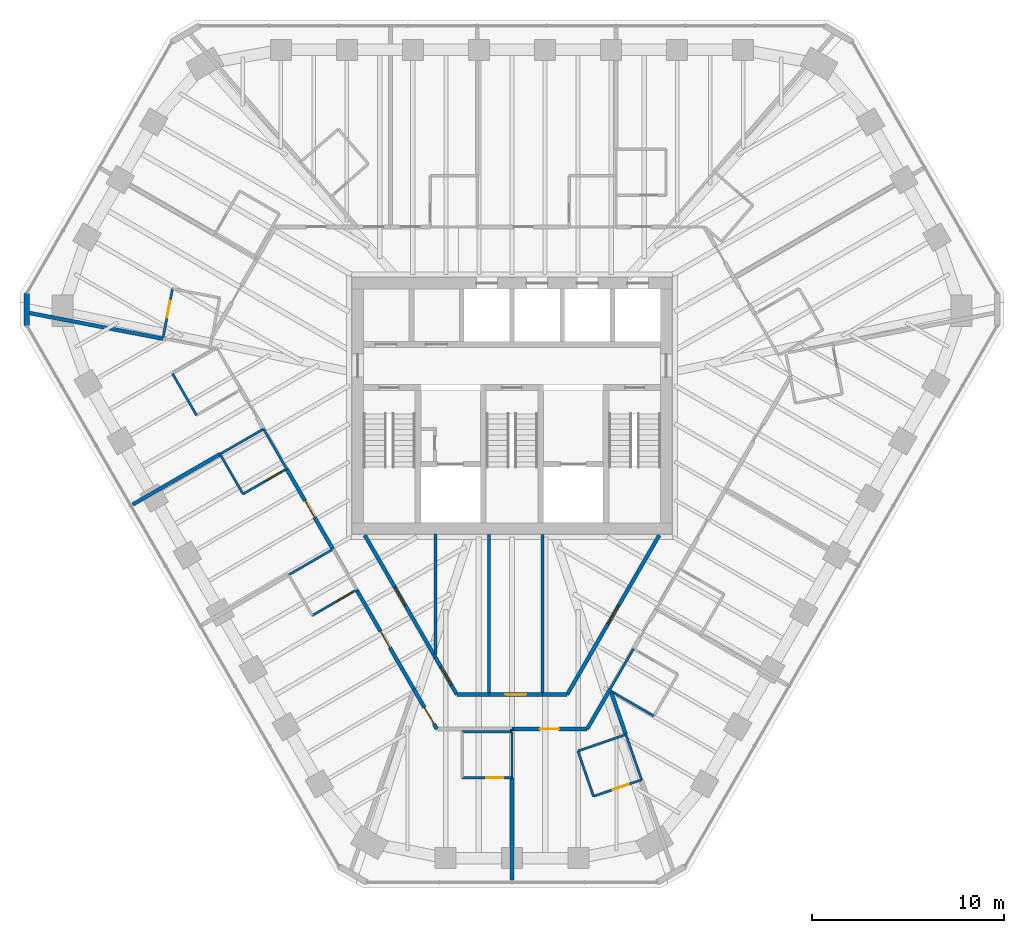
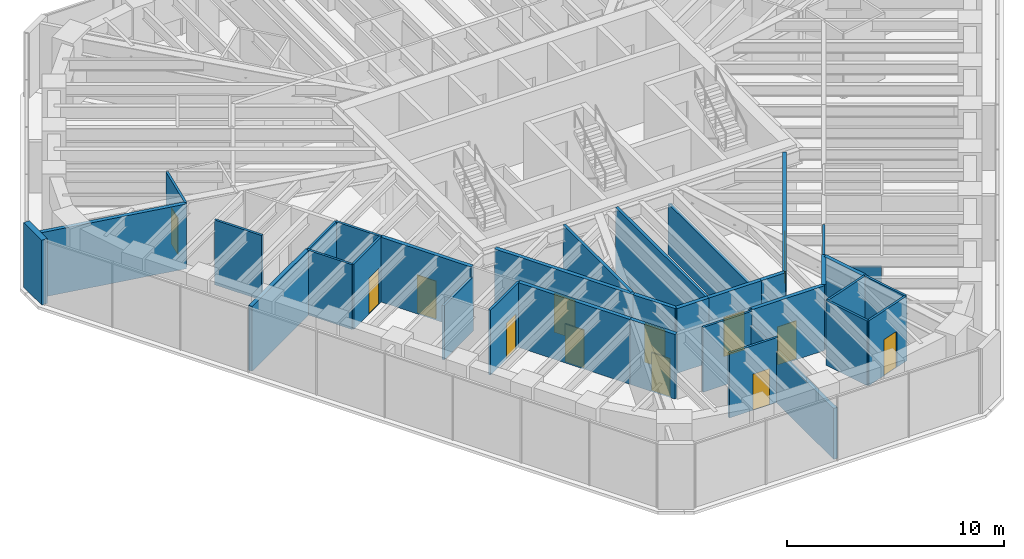
# One storey, part 9 of 14: 37 walls, 13 doors, 13 openings.
"""IFC4 building model written with IfcOpenShell, lengths in metres."""

from ifc_helpers import new_model, si_unit, direction, frame, frame_2d, origin, place, context, subcontext, project, spatial, rectangle, extrude, material, layer, layer_set, type_object, element, fill, save


model = new_model("IFC4")

# Units and contexts
model_context = context("Model", 3, precision=1e-05, world=origin(), true_north=direction((0.0, 1.0)))
body_context = subcontext(model_context, "Body", "Model", "MODEL_VIEW")
ifc_project = project(units=[si_unit("LENGTHUNIT", "METRE"), si_unit("AREAUNIT", "SQUARE_METRE"), si_unit("VOLUMEUNIT", "CUBIC_METRE"), si_unit("PLANEANGLEUNIT", "RADIAN"), si_unit("MASSUNIT", "GRAM", prefix="KILO")], contexts=[model_context])

# Site, building, storey
site_placement = place(None, origin())
site = spatial("IfcSite", under=ifc_project, at=site_placement, CompositionType="ELEMENT")
building_placement = place(site_placement, origin())
building = spatial("IfcBuilding", under=site, at=building_placement, Name="Sandreach Pilgrim Tower", CompositionType="ELEMENT")
storey_placement = place(building_placement, frame((0.0, 0.0, 279.800048828125)))
storey = spatial("IfcBuildingStorey", under=building, at=storey_placement, Name="L70", CompositionType="ELEMENT", Elevation=279.800048828125)

# Walls
ifc_material_1 = material(Name="Gypsum board on steel studs", Category="steel")
ifc_layer_1 = layer(ifc_material_1, 0.14990234375)
ifc_layer_set_1 = layer_set([ifc_layer_1], Name="Back of house wall 150")
wall_type_1 = type_object("IfcWallType", Name="Back of house wall 150", PredefinedType="PARTITIONING", material=ifc_layer_set_1)
wall_1_placement = place(storey_placement, frame((-4.0, -6.699951171875, 0.0), z_axis=(0.0, 0.0, 1.0), x_axis=(0.0, -1.0, 0.0)))
element("IfcWall", 1, at=wall_1_placement, inside=storey, type_object=wall_type_1, Name="Back of house wall L70-049", PredefinedType="PARTITIONING", context=body_context, shape_type="SweptSolid", body=[
    extrude(rectangle(XDim=6.26513671875, YDim=0.14990234375, at=frame_2d((3.132568359375, 0.0))), origin(), (0.0, 0.0, 1.0), 3.639892578125),
])
wall_2_placement = place(storey_placement, frame((-1.199951171875, -6.699951171875, 0.0), z_axis=(0.0, 0.0, 1.0), x_axis=(0.0, -1.0, 0.0)))
element("IfcWall", 2, at=wall_2_placement, inside=storey, type_object=wall_type_1, Name="Back of house wall L70-058", PredefinedType="PARTITIONING", context=body_context, shape_type="SweptSolid", body=[
    extrude(rectangle(XDim=8.360107421875, YDim=0.14990234375, at=frame_2d((4.18017578125, 0.0))), origin(), (0.0, 0.0, 1.0), 3.639892578125),
])
wall_3_placement = place(storey_placement, frame((1.60009765625, -6.699951171875, 0.0), z_axis=(0.0, 0.0, 1.0), x_axis=(0.0, -1.0, 0.0)))
element("IfcWall", 3, at=wall_3_placement, inside=storey, type_object=wall_type_1, Name="Back of house wall L70-065", PredefinedType="PARTITIONING", context=body_context, shape_type="SweptSolid", body=[
    extrude(rectangle(XDim=8.360107421875, YDim=0.14990234375, at=frame_2d((4.18017578125, 0.0))), origin(), (0.0, 0.0, 1.0), 2.860107421875),
])
ifc_material_2 = material(Name="Moisture-resistant gypsum board on steel studs", Category="steel")
ifc_layer_2 = layer(ifc_material_2, 0.1201171875)
ifc_layer_set_2 = layer_set([ifc_layer_2], Name="Bathroom partition 120")
wall_type_2 = type_object("IfcWallType", Name="Bathroom partition 120", PredefinedType="PARTITIONING", material=ifc_layer_set_2)
wall_4_placement = place(storey_placement, frame((-17.7099609375, 1.679931640625, 0.0), z_axis=(0.0, 0.0, 1.0), x_axis=(0.499159685399, -0.866510016372, 0.0)))
element("IfcWall", 4, at=wall_4_placement, inside=storey, type_object=wall_type_2, Name="Bathroom partition L70-005", PredefinedType="PARTITIONING", context=body_context, shape_type="SweptSolid", body=[
    extrude(rectangle(XDim=2.504150390625, YDim=0.1201171875, at=frame_2d((1.251953125, 0.0))), origin(), (0.0, 0.0, 1.0), 3.639892578125),
])

# Wall, opening, door
wall_5_placement = place(storey_placement, frame((-17.7099609375, 6.110107421875, 0.0), z_axis=(0.0, 0.0, 1.0), x_axis=(-0.188840553732, -0.982007762325, 0.0)))
wall_5 = element("IfcWall", 5, at=wall_5_placement, inside=storey, type_object=wall_type_2, Name="Bathroom partition L70-006", PredefinedType="PARTITIONING", context=body_context, shape_type="SweptSolid", body=[
    extrude(rectangle(XDim=2.647705078125, YDim=0.1201171875, at=frame_2d((1.32373046875, 0.0))), origin(), (0.0, 0.0, 1.0), 3.639892578125),
])
opening_1_placement = place(wall_5_placement, frame((0.64990234375, 0.0, 0.0)))
opening_1 = element("IfcOpeningElement", 6, at=opening_1_placement, cuts=wall_5, Name="Opening D09-15B", PredefinedType="OPENING", context=body_context, shape_type="SweptSolid", body=[
    extrude(rectangle(XDim=0.89990234375, YDim=2.030029296875, at=frame_2d((0.449951171875, 1.01513671875))), frame((0.0, 0.06005859375, 0.0), z_axis=(0.0, -1.0, 0.0), x_axis=(1.0, 0.0, 0.0)), (0.0, 0.0, 1.0), 0.1201171875),
])
ifc_material_3 = material(Name="Timber door, steel frame", Category="steel")
door_type_1 = type_object("IfcDoorType", Name="Bathroom door", OperationType="SINGLE_SWING_LEFT", PredefinedType="DOOR", material=ifc_material_3)
door_1_placement = place(opening_1_placement, origin())
door_1 = element("IfcDoor", 7, at=door_1_placement, inside=storey, type_object=door_type_1, Name="Door 7015B", OperationType="SINGLE_SWING_LEFT", OverallHeight=2.030029296875, OverallWidth=0.89990234375, PredefinedType="DOOR", context=body_context, shape_type="SweptSolid", body=[
    extrude(rectangle(XDim=0.89990234375, YDim=2.030029296875, at=frame_2d((0.449951171875, 1.01513671875))), frame((0.0, 0.02490234375, 0.0), z_axis=(0.0, -1.0, 0.0), x_axis=(1.0, 0.0, 0.0)), (0.0, 0.0, 1.0), 0.050048828125),
])
fill(opening_1, door_1)

# Walls
wall_6_placement = place(storey_placement, frame((-15.22998046875, -2.52001953125, 0.0), z_axis=(0.0, 0.0, 1.0), x_axis=(0.499737123639, -0.866177122335, 0.0)))
element("IfcWall", 8, at=wall_6_placement, inside=storey, type_object=wall_type_2, Name="Bathroom partition L70-019", PredefinedType="PARTITIONING", context=body_context, shape_type="SweptSolid", body=[
    extrude(rectangle(XDim=2.401123046875, YDim=0.1201171875, at=frame_2d((1.20068359375, 0.0))), origin(), (0.0, 0.0, 1.0), 3.639892578125),
])
wall_7_placement = place(storey_placement, frame((-15.22998046875, -2.52001953125, 0.0), z_axis=(0.0, 0.0, 1.0), x_axis=(0.866114241029, 0.499846097802, 0.0)))
element("IfcWall", 9, at=wall_7_placement, inside=storey, type_object=wall_type_2, Name="Bathroom partition L70-020", PredefinedType="PARTITIONING", context=body_context, shape_type="SweptSolid", body=[
    extrude(rectangle(XDim=2.620849609375, YDim=0.1201171875, at=frame_2d((1.310546875, 0.0))), origin(), (0.0, 0.0, 1.0), 3.639892578125),
])

# Wall, opening, door
wall_8_placement = place(storey_placement, frame((-14.030029296875, -4.60009765625, 0.0), z_axis=(0.0, 0.0, 1.0), x_axis=(0.866114241029, 0.499846097802, 0.0)))
wall_8 = element("IfcWall", 10, at=wall_8_placement, inside=storey, type_object=wall_type_2, Name="Bathroom partition L70-023", PredefinedType="PARTITIONING", context=body_context, shape_type="SweptSolid", body=[
    extrude(rectangle(XDim=2.620849609375, YDim=0.1201171875, at=frame_2d((1.310546875, 0.0))), origin(), (0.0, 0.0, 1.0), 3.639892578125),
])
opening_2_placement = place(wall_8_placement, frame((1.4208984375, 0.0, 0.0)))
opening_2 = element("IfcOpeningElement", 11, at=opening_2_placement, cuts=wall_8, Name="Opening D09-13B", PredefinedType="OPENING", context=body_context, shape_type="SweptSolid", body=[
    extrude(rectangle(XDim=0.89990234375, YDim=2.030029296875, at=frame_2d((0.449951171875, 1.01513671875))), frame((0.0, 0.06005859375, 0.0), z_axis=(0.0, -1.0, 0.0), x_axis=(1.0, 0.0, 0.0)), (0.0, 0.0, 1.0), 0.1201171875),
])
door_2_placement = place(opening_2_placement, origin())
door_2 = element("IfcDoor", 12, at=door_2_placement, inside=storey, type_object=door_type_1, Name="Door 7013B", OperationType="SINGLE_SWING_RIGHT", OverallHeight=2.030029296875, OverallWidth=0.89990234375, PredefinedType="DOOR", context=body_context, shape_type="SweptSolid", body=[
    extrude(rectangle(XDim=0.89990234375, YDim=2.030029296875, at=frame_2d((0.449951171875, 1.01513671875))), frame((0.0, 0.02490234375, 0.0), z_axis=(0.0, -1.0, 0.0), x_axis=(1.0, 0.0, 0.0)), (0.0, 0.0, 1.0), 0.050048828125),
])
fill(opening_2, door_2)

# Walls
wall_9_placement = place(storey_placement, frame((-12.9599609375, -1.2099609375, 0.0), z_axis=(0.0, 0.0, 1.0), x_axis=(0.499693115345, -0.866202511239, 0.0)))
element("IfcWall", 13, at=wall_9_placement, inside=storey, type_object=wall_type_2, Name="Bathroom partition L70-027", PredefinedType="PARTITIONING", context=body_context, shape_type="SweptSolid", body=[
    extrude(rectangle(XDim=2.4013671875, YDim=0.1201171875, at=frame_2d((1.20068359375, 0.0))), origin(), (0.0, 0.0, 1.0), 3.639892578125),
])
wall_10_placement = place(storey_placement, frame((-11.64990234375, -8.820068359375, 0.0), z_axis=(0.0, 0.0, 1.0), x_axis=(0.864966903181, 0.501828911485, 0.0)))
element("IfcWall", 14, at=wall_10_placement, inside=storey, type_object=wall_type_2, Name="Bathroom partition L70-031", PredefinedType="PARTITIONING", context=body_context, shape_type="SweptSolid", body=[
    extrude(rectangle(XDim=2.67041015625, YDim=0.1201171875, at=frame_2d((1.335205078125, 0.0))), origin(), (0.0, 0.0, 1.0), 3.0380859375),
])

# Wall, opening, door
wall_11_placement = place(storey_placement, frame((-10.419921875, -10.93994140625, 0.0), z_axis=(0.0, 0.0, 1.0), x_axis=(0.865006586495, 0.501760505939, 0.0)))
wall_11 = element("IfcWall", 15, at=wall_11_placement, inside=storey, type_object=wall_type_2, Name="Bathroom partition L70-033", PredefinedType="PARTITIONING", context=body_context, shape_type="SweptSolid", body=[
    extrude(rectangle(XDim=2.670166015625, YDim=0.1201171875, at=frame_2d((1.3349609375, 0.0))), origin(), (0.0, 0.0, 1.0), 3.639892578125),
])
opening_3_placement = place(wall_11_placement, frame((1.470458984375, 0.0, 0.0)))
opening_3 = element("IfcOpeningElement", 16, at=opening_3_placement, cuts=wall_11, Name="Opening D09-12B", PredefinedType="OPENING", context=body_context, shape_type="SweptSolid", body=[
    extrude(rectangle(XDim=0.89990234375, YDim=2.030029296875, at=frame_2d((0.449951171875, 1.01513671875))), frame((0.0, 0.06005859375, 0.0), z_axis=(0.0, -1.0, 0.0), x_axis=(1.0, 0.0, 0.0)), (0.0, 0.0, 1.0), 0.1201171875),
])
door_3_placement = place(opening_3_placement, origin())
door_3 = element("IfcDoor", 17, at=door_3_placement, inside=storey, type_object=door_type_1, Name="Door 7012B", OperationType="SINGLE_SWING_RIGHT", OverallHeight=2.030029296875, OverallWidth=0.89990234375, PredefinedType="DOOR", context=body_context, shape_type="SweptSolid", body=[
    extrude(rectangle(XDim=0.89990234375, YDim=2.030029296875, at=frame_2d((0.449951171875, 1.01513671875))), frame((0.0, 0.02490234375, 0.0), z_axis=(0.0, -1.0, 0.0), x_axis=(1.0, 0.0, 0.0)), (0.0, 0.0, 1.0), 0.050048828125),
])
fill(opening_3, door_3)

wall_12_placement = place(storey_placement, frame((-2.60009765625, -19.409912109375, 0.0), z_axis=(0.0, 0.0, 1.0), x_axis=(1.0, 0.0, 0.0)))
wall_12 = element("IfcWall", 18, at=wall_12_placement, inside=storey, type_object=wall_type_2, Name="Bathroom partition L70-052", PredefinedType="PARTITIONING", context=body_context, shape_type="SweptSolid", body=[
    extrude(rectangle(XDim=2.60009765625, YDim=0.1201171875, at=frame_2d((1.300048828125, 0.0))), origin(), (0.0, 0.0, 1.0), 3.639892578125),
])
opening_4_placement = place(wall_12_placement, frame((1.25, 0.0, 0.0)))
opening_4 = element("IfcOpeningElement", 19, at=opening_4_placement, cuts=wall_12, Name="Opening D09-11B", PredefinedType="OPENING", context=body_context, shape_type="SweptSolid", body=[
    extrude(rectangle(XDim=0.89990234375, YDim=2.030029296875, at=frame_2d((0.449951171875, 1.01513671875))), frame((0.0, 0.06005859375, 0.0), z_axis=(0.0, -1.0, 0.0), x_axis=(1.0, 0.0, 0.0)), (0.0, 0.0, 1.0), 0.1201171875),
])
door_4_placement = place(opening_4_placement, origin())
door_4 = element("IfcDoor", 20, at=door_4_placement, inside=storey, type_object=door_type_1, Name="Door 7011B", OperationType="SINGLE_SWING_RIGHT", OverallHeight=2.030029296875, OverallWidth=0.89990234375, PredefinedType="DOOR", context=body_context, shape_type="SweptSolid", body=[
    extrude(rectangle(XDim=0.89990234375, YDim=2.030029296875, at=frame_2d((0.449951171875, 1.01513671875))), frame((0.0, 0.02490234375, 0.0), z_axis=(0.0, -1.0, 0.0), x_axis=(1.0, 0.0, 0.0)), (0.0, 0.0, 1.0), 0.050048828125),
])
fill(opening_4, door_4)

# Walls
wall_13_placement = place(storey_placement, frame((0.0, -19.409912109375, 0.0), z_axis=(0.0, 0.0, 1.0), x_axis=(0.0, 1.0, 0.0)))
element("IfcWall", 21, at=wall_13_placement, inside=storey, type_object=wall_type_2, Name="Bathroom partition L70-060", PredefinedType="PARTITIONING", context=body_context, shape_type="SweptSolid", body=[
    extrude(rectangle(XDim=2.39990234375, YDim=0.1201171875, at=frame_2d((1.199951171875, 0.0))), origin(), (0.0, 0.0, 1.0), 2.860107421875),
])
wall_14_placement = place(storey_placement, frame((0.0, -17.010009765625, 0.0), z_axis=(0.0, 0.0, 1.0), x_axis=(-1.0, 0.0, 0.0)))
element("IfcWall", 22, at=wall_14_placement, inside=storey, type_object=wall_type_2, Name="Bathroom partition L70-061", PredefinedType="PARTITIONING", context=body_context, shape_type="SweptSolid", body=[
    extrude(rectangle(XDim=2.60009765625, YDim=0.1201171875, at=frame_2d((1.300048828125, 0.0))), origin(), (0.0, 0.0, 1.0), 3.639892578125),
])
wall_15_placement = place(storey_placement, frame((3.43994140625, -18.010009765625, 0.0), z_axis=(0.0, 0.0, 1.0), x_axis=(0.324669532971, -0.945827518293, 0.0)))
element("IfcWall", 23, at=wall_15_placement, inside=storey, type_object=wall_type_2, Name="Bathroom partition L70-069", PredefinedType="PARTITIONING", context=body_context, shape_type="SweptSolid", body=[
    extrude(rectangle(XDim=2.4951171875, YDim=0.1201171875, at=frame_2d((1.24755859375, 0.0))), origin(), (0.0, 0.0, 1.0), 3.639892578125),
])

# Wall, opening, door
wall_16_placement = place(storey_placement, frame((4.25, -20.3701171875, 0.0), z_axis=(0.0, 0.0, 1.0), x_axis=(0.945999971947, 0.324166705687, 0.0)))
wall_16 = element("IfcWall", 24, at=wall_16_placement, inside=storey, type_object=wall_type_2, Name="Bathroom partition L70-071", PredefinedType="PARTITIONING", context=body_context, shape_type="SweptSolid", body=[
    extrude(rectangle(XDim=2.6533203125, YDim=0.1201171875, at=frame_2d((1.32666015625, 0.0))), origin(), (0.0, 0.0, 1.0), 3.639892578125),
])
opening_5_placement = place(wall_16_placement, frame((1.050048828125, 0.0, 0.0)))
opening_5 = element("IfcOpeningElement", 25, at=opening_5_placement, cuts=wall_16, Name="Opening D09-10B", PredefinedType="OPENING", context=body_context, shape_type="SweptSolid", body=[
    extrude(rectangle(XDim=0.89990234375, YDim=2.030029296875, at=frame_2d((0.449951171875, 1.01513671875))), frame((0.0, 0.06005859375, 0.0), z_axis=(0.0, -1.0, 0.0), x_axis=(1.0, 0.0, 0.0)), (0.0, 0.0, 1.0), 0.1201171875),
])
door_5_placement = place(opening_5_placement, origin())
door_5 = element("IfcDoor", 26, at=door_5_placement, inside=storey, type_object=door_type_1, Name="Door 7010B", OperationType="SINGLE_SWING_RIGHT", OverallHeight=2.030029296875, OverallWidth=0.89990234375, PredefinedType="DOOR", context=body_context, shape_type="SweptSolid", body=[
    extrude(rectangle(XDim=0.89990234375, YDim=2.030029296875, at=frame_2d((0.449951171875, 1.01513671875))), frame((0.0, 0.02490234375, 0.0), z_axis=(0.0, -1.0, 0.0), x_axis=(1.0, 0.0, 0.0)), (0.0, 0.0, 1.0), 0.050048828125),
])
fill(opening_5, door_5)

# Walls
wall_17_placement = place(storey_placement, frame((5.1201171875, -14.780029296875, 0.0), z_axis=(0.0, 0.0, 1.0), x_axis=(0.502307685327, 0.86468895521, 0.0)))
element("IfcWall", 27, at=wall_17_placement, inside=storey, type_object=wall_type_2, Name="Bathroom partition L70-072", PredefinedType="PARTITIONING", context=body_context, shape_type="SweptSolid", body=[
    extrude(rectangle(XDim=2.4287109375, YDim=0.1201171875, at=frame_2d((1.21435546875, 0.0))), origin(), (0.0, 0.0, 1.0), 3.639892578125),
])
wall_18_placement = place(storey_placement, frame((5.250732421875, -14.9326171875, 0.0), z_axis=(0.0, 0.0, 1.0), x_axis=(0.864892147873, -0.501957739803, 0.0)))
element("IfcWall", 28, at=wall_18_placement, inside=storey, type_object=wall_type_2, Name="Bathroom partition L70-073", PredefinedType="PARTITIONING", context=body_context, shape_type="SweptSolid", body=[
    extrude(rectangle(XDim=2.48486328125, YDim=0.1201171875, at=frame_2d((1.242431640625, 0.0))), origin(), (0.0, 0.0, 1.0), 3.0380859375),
])
wall_19_placement = place(storey_placement, frame((5.93994140625, -17.14990234375, 0.0), z_axis=(0.0, 0.0, 1.0), x_axis=(-0.945601400786, -0.32532751318, 0.0)))
element("IfcWall", 29, at=wall_19_placement, inside=storey, type_object=wall_type_2, Name="Bathroom partition L70-081", PredefinedType="PARTITIONING", context=body_context, shape_type="SweptSolid", body=[
    extrude(rectangle(XDim=2.643798828125, YDim=0.1201171875, at=frame_2d((1.32177734375, 0.0))), origin(), (0.0, 0.0, 1.0), 3.639892578125),
])
wall_20_placement = place(storey_placement, frame((5.93994140625, -17.14990234375, 0.0), z_axis=(0.0, 0.0, 1.0), x_axis=(0.32822120494, -0.944600889597, 0.0)))
element("IfcWall", 30, at=wall_20_placement, inside=storey, type_object=wall_type_2, Name="Bathroom partition L70-083", PredefinedType="PARTITIONING", context=body_context, shape_type="SweptSolid", body=[
    extrude(rectangle(XDim=2.49853515625, YDim=0.1201171875, at=frame_2d((1.249267578125, 0.0))), origin(), (0.0, 0.0, 1.0), 3.639892578125),
])

# Wall, opening, door
ifc_material_4 = material(Name="Gypsum board on steel studs, two layers each side", Category="steel")
ifc_layer_3 = layer(ifc_material_4, 0.199951171875)
ifc_layer_set_3 = layer_set([ifc_layer_3], Name="Corridor wall 200")
wall_type_3 = type_object("IfcWallType", Name="Corridor wall 200", PredefinedType="PARTITIONING", material=ifc_layer_set_3)
wall_21_placement = place(storey_placement, frame((-11.760009765625, -3.2900390625, 0.0), z_axis=(0.0, 0.0, 1.0), x_axis=(0.500133000121, -0.86594860251, 0.0)))
wall_21 = element("IfcWall", 31, at=wall_21_placement, inside=storey, type_object=wall_type_3, Name="Corridor wall L70-029", PredefinedType="PARTITIONING", context=body_context, shape_type="SweptSolid", body=[
    extrude(rectangle(XDim=4.838623046875, YDim=0.199951171875, at=frame_2d((2.41943359375, 0.0))), origin(), (0.0, 0.0, 1.0), 3.639892578125),
])
opening_6_placement = place(wall_21_placement, frame((1.919189453125, 0.0, 0.0)))
opening_6 = element("IfcOpeningElement", 32, at=opening_6_placement, cuts=wall_21, Name="Opening D10-13", PredefinedType="OPENING", context=body_context, shape_type="SweptSolid", body=[
    extrude(rectangle(XDim=1.0, YDim=2.1298828125, at=frame_2d((0.5, 1.06494140625))), frame((0.0, 0.10009765625, 0.0), z_axis=(0.0, -1.0, 0.0), x_axis=(1.0, 0.0, 0.0)), (0.0, 0.0, 1.0), 0.199951171875),
])
ifc_material_5 = material(Name="Steel door and frame", Category="steel")
door_type_2 = type_object("IfcDoorType", Name="Guest room entry door", OperationType="SINGLE_SWING_LEFT", PredefinedType="DOOR", material=ifc_material_5)
door_6_placement = place(opening_6_placement, origin())
door_6 = element("IfcDoor", 33, at=door_6_placement, inside=storey, type_object=door_type_2, Name="Door 7013", OperationType="SINGLE_SWING_LEFT", OverallHeight=2.1298828125, OverallWidth=1.0, PredefinedType="DOOR", context=body_context, shape_type="SweptSolid", body=[
    extrude(rectangle(XDim=1.0, YDim=2.1298828125, at=frame_2d((0.5, 1.06494140625))), frame((0.0, 0.02490234375, 0.0), z_axis=(0.0, -1.0, 0.0), x_axis=(1.0, 0.0, 0.0)), (0.0, 0.0, 1.0), 0.050048828125),
])
fill(opening_6, door_6)

wall_22_placement = place(storey_placement, frame((-8.110107421875, -9.60009765625, 0.0), z_axis=(0.0, 0.0, 1.0), x_axis=(0.49991915452, -0.866072074913, 0.0)))
wall_22 = element("IfcWall", 34, at=wall_22_placement, inside=storey, type_object=wall_type_3, Name="Corridor wall L70-039", PredefinedType="PARTITIONING", context=body_context, shape_type="SweptSolid", body=[
    extrude(rectangle(XDim=5.98095703125, YDim=0.199951171875, at=frame_2d((2.990478515625, 0.0))), origin(), (0.0, 0.0, 1.0), 3.639892578125),
])
opening_7_placement = place(wall_22_placement, frame((2.490478515625, 0.0, 0.0)))
opening_7 = element("IfcOpeningElement", 35, at=opening_7_placement, cuts=wall_22, Name="Opening D10-12", PredefinedType="OPENING", context=body_context, shape_type="SweptSolid", body=[
    extrude(rectangle(XDim=1.0, YDim=2.1298828125, at=frame_2d((0.5, 1.06494140625))), frame((0.0, 0.10009765625, 0.0), z_axis=(0.0, -1.0, 0.0), x_axis=(1.0, 0.0, 0.0)), (0.0, 0.0, 1.0), 0.199951171875),
])
door_7_placement = place(opening_7_placement, origin())
door_7 = element("IfcDoor", 36, at=door_7_placement, inside=storey, type_object=door_type_2, Name="Door 7012", OperationType="SINGLE_SWING_LEFT", OverallHeight=2.1298828125, OverallWidth=1.0, PredefinedType="DOOR", context=body_context, shape_type="SweptSolid", body=[
    extrude(rectangle(XDim=1.0, YDim=2.1298828125, at=frame_2d((0.5, 1.06494140625))), frame((0.0, 0.02490234375, 0.0), z_axis=(0.0, -1.0, 0.0), x_axis=(1.0, 0.0, 0.0)), (0.0, 0.0, 1.0), 0.050048828125),
])
fill(opening_7, door_7)

wall_23_placement = place(storey_placement, frame((-5.1201171875, -14.780029296875, 0.0), z_axis=(0.0, 0.0, 1.0), x_axis=(0.499813401482, -0.866133109688, 0.0)))
wall_23 = element("IfcWall", 37, at=wall_23_placement, inside=storey, type_object=wall_type_3, Name="Corridor wall L70-044", PredefinedType="PARTITIONING", context=body_context, shape_type="SweptSolid", body=[
    extrude(rectangle(XDim=2.4013671875, YDim=0.199951171875, at=frame_2d((1.20068359375, 0.0))), origin(), (0.0, 0.0, 1.0), 3.639892578125),
])
opening_8_placement = place(wall_23_placement, frame((1.10009765625, 0.0, 0.0)))
opening_8 = element("IfcOpeningElement", 38, at=opening_8_placement, cuts=wall_23, Name="Opening D10-11", PredefinedType="OPENING", context=body_context, shape_type="SweptSolid", body=[
    extrude(rectangle(XDim=1.0, YDim=2.1298828125, at=frame_2d((0.5, 1.06494140625))), frame((0.0, 0.10009765625, 0.0), z_axis=(0.0, -1.0, 0.0), x_axis=(1.0, 0.0, 0.0)), (0.0, 0.0, 1.0), 0.199951171875),
])
door_8_placement = place(opening_8_placement, origin())
door_8 = element("IfcDoor", 39, at=door_8_placement, inside=storey, type_object=door_type_2, Name="Door 7011", OperationType="SINGLE_SWING_RIGHT", OverallHeight=2.1298828125, OverallWidth=1.0, PredefinedType="DOOR", context=body_context, shape_type="SweptSolid", body=[
    extrude(rectangle(XDim=1.0, YDim=2.1298828125, at=frame_2d((0.5, 1.06494140625))), frame((0.0, 0.02490234375, 0.0), z_axis=(0.0, -1.0, 0.0), x_axis=(1.0, 0.0, 0.0)), (0.0, 0.0, 1.0), 0.050048828125),
])
fill(opening_8, door_8)

wall_24_placement = place(storey_placement, frame((-4.0, -13.1201171875, 0.0), z_axis=(0.0, 0.0, 1.0), x_axis=(-0.500218436225, 0.865899252835, 0.0)))
wall_24 = element("IfcWall", 40, at=wall_24_placement, inside=storey, type_object=wall_type_3, Name="Corridor wall L70-048", PredefinedType="PARTITIONING", context=body_context, shape_type="SweptSolid", body=[
    extrude(rectangle(XDim=7.356689453125, YDim=0.199951171875, at=frame_2d((3.67822265625, 0.0))), origin(), (0.0, 0.0, 1.0), 3.639892578125),
])
opening_9_placement = place(wall_24_placement, frame((3.12841796875, 0.0, 0.0)))
opening_9 = element("IfcOpeningElement", 41, at=opening_9_placement, cuts=wall_24, Name="Opening D11H-S1", PredefinedType="OPENING", context=body_context, shape_type="SweptSolid", body=[
    extrude(rectangle(XDim=1.10009765625, YDim=2.199951171875, at=frame_2d((0.550048828125, 1.10009765625))), frame((0.0, 0.10009765625, 0.0), z_axis=(0.0, -1.0, 0.0), x_axis=(1.0, 0.0, 0.0)), (0.0, 0.0, 1.0), 0.199951171875),
])
ifc_material_6 = material(Name="Steel door and frame", Category="steel")
door_type_3 = type_object("IfcDoorType", Name="Back of house door", OperationType="SINGLE_SWING_LEFT", PredefinedType="DOOR", material=ifc_material_6)
door_9_placement = place(opening_9_placement, origin())
door_9 = element("IfcDoor", 42, at=door_9_placement, inside=storey, type_object=door_type_3, Name="Door 70S1", OperationType="SINGLE_SWING_LEFT", OverallHeight=2.199951171875, OverallWidth=1.10009765625, PredefinedType="DOOR", context=body_context, shape_type="SweptSolid", body=[
    extrude(rectangle(XDim=1.10009765625, YDim=2.199951171875, at=frame_2d((0.550048828125, 1.10009765625))), frame((0.0, 0.02490234375, 0.0), z_axis=(0.0, -1.0, 0.0), x_axis=(1.0, 0.0, 0.0)), (0.0, 0.0, 1.0), 0.050048828125),
])
fill(opening_9, door_9)

wall_25_placement = place(storey_placement, frame((-2.8798828125, -15.06005859375, 0.0), z_axis=(0.0, 0.0, 1.0), x_axis=(-0.499983441833, 0.866034963436, 0.0)))
wall_25 = element("IfcWall", 43, at=wall_25_placement, inside=storey, type_object=wall_type_3, Name="Corridor wall L70-051", PredefinedType="PARTITIONING", context=body_context, shape_type="SweptSolid", body=[
    extrude(rectangle(XDim=2.240234375, YDim=0.199951171875, at=frame_2d((1.1201171875, 0.0))), origin(), (0.0, 0.0, 1.0), 3.639892578125),
])
opening_10_placement = place(wall_25_placement, frame((0.570068359375, 0.0, 0.0)))
opening_10 = element("IfcOpeningElement", 44, at=opening_10_placement, cuts=wall_25, Name="Opening D11H-S2", PredefinedType="OPENING", context=body_context, shape_type="SweptSolid", body=[
    extrude(rectangle(XDim=1.10009765625, YDim=2.199951171875, at=frame_2d((0.550048828125, 1.10009765625))), frame((0.0, 0.10009765625, 0.0), z_axis=(0.0, -1.0, 0.0), x_axis=(1.0, 0.0, 0.0)), (0.0, 0.0, 1.0), 0.199951171875),
])
door_10_placement = place(opening_10_placement, origin())
door_10 = element("IfcDoor", 45, at=door_10_placement, inside=storey, type_object=door_type_3, Name="Door 70S2", OperationType="SINGLE_SWING_LEFT", OverallHeight=2.199951171875, OverallWidth=1.10009765625, PredefinedType="DOOR", context=body_context, shape_type="SweptSolid", body=[
    extrude(rectangle(XDim=1.10009765625, YDim=2.199951171875, at=frame_2d((0.550048828125, 1.10009765625))), frame((0.0, 0.02490234375, 0.0), z_axis=(0.0, -1.0, 0.0), x_axis=(1.0, 0.0, 0.0)), (0.0, 0.0, 1.0), 0.050048828125),
])
fill(opening_10, door_10)

# Wall
wall_26_placement = place(storey_placement, frame((-1.199951171875, -15.06005859375, 0.0), z_axis=(0.0, 0.0, 1.0), x_axis=(-1.0, 0.0, 0.0)))
element("IfcWall", 46, at=wall_26_placement, inside=storey, type_object=wall_type_3, Name="Corridor wall L70-057", PredefinedType="PARTITIONING", context=body_context, shape_type="SweptSolid", body=[
    extrude(rectangle(XDim=1.679931640625, YDim=0.199951171875, at=frame_2d((0.83984375, 0.0))), origin(), (0.0, 0.0, 1.0), 3.639892578125),
])

# Wall, opening, door
wall_27_placement = place(storey_placement, frame((0.0, -16.860107421875, 0.0), z_axis=(0.0, 0.0, 1.0), x_axis=(1.0, 0.0, 0.0)))
wall_27 = element("IfcWall", 47, at=wall_27_placement, inside=storey, type_object=wall_type_3, Name="Corridor wall L70-063", PredefinedType="PARTITIONING", context=body_context, shape_type="SweptSolid", body=[
    extrude(rectangle(XDim=3.919921875, YDim=0.199951171875, at=frame_2d((1.9599609375, 0.0))), origin(), (0.0, 0.0, 1.0), 3.639892578125),
])
opening_11_placement = place(wall_27_placement, frame((1.4599609375, 0.0, 0.0)))
opening_11 = element("IfcOpeningElement", 48, at=opening_11_placement, cuts=wall_27, Name="Opening D10-10", PredefinedType="OPENING", context=body_context, shape_type="SweptSolid", body=[
    extrude(rectangle(XDim=1.0, YDim=2.1298828125, at=frame_2d((0.5, 1.06494140625))), frame((0.0, 0.10009765625, 0.0), z_axis=(0.0, -1.0, 0.0), x_axis=(1.0, 0.0, 0.0)), (0.0, 0.0, 1.0), 0.199951171875),
])
door_11_placement = place(opening_11_placement, origin())
door_11 = element("IfcDoor", 49, at=door_11_placement, inside=storey, type_object=door_type_2, Name="Door 7010", OperationType="SINGLE_SWING_LEFT", OverallHeight=2.1298828125, OverallWidth=1.0, PredefinedType="DOOR", context=body_context, shape_type="SweptSolid", body=[
    extrude(rectangle(XDim=1.0, YDim=2.1298828125, at=frame_2d((0.5, 1.06494140625))), frame((0.0, 0.02490234375, 0.0), z_axis=(0.0, -1.0, 0.0), x_axis=(1.0, 0.0, 0.0)), (0.0, 0.0, 1.0), 0.050048828125),
])
fill(opening_11, door_11)

wall_28_placement = place(storey_placement, frame((1.60009765625, -15.06005859375, 0.0), z_axis=(0.0, 0.0, 1.0), x_axis=(-1.0, 0.0, 0.0)))
wall_28 = element("IfcWall", 50, at=wall_28_placement, inside=storey, type_object=wall_type_3, Name="Corridor wall L70-064", PredefinedType="PARTITIONING", context=body_context, shape_type="SweptSolid", body=[
    extrude(rectangle(XDim=2.800048828125, YDim=0.199951171875, at=frame_2d((1.39990234375, 0.0))), origin(), (0.0, 0.0, 1.0), 3.639892578125),
])
opening_12_placement = place(wall_28_placement, frame((0.85009765625, 0.0, 0.0)))
opening_12 = element("IfcOpeningElement", 51, at=opening_12_placement, cuts=wall_28, Name="Opening D11H-S3", PredefinedType="OPENING", context=body_context, shape_type="SweptSolid", body=[
    extrude(rectangle(XDim=1.10009765625, YDim=2.199951171875, at=frame_2d((0.550048828125, 1.10009765625))), frame((0.0, 0.10009765625, 0.0), z_axis=(0.0, -1.0, 0.0), x_axis=(1.0, 0.0, 0.0)), (0.0, 0.0, 1.0), 0.199951171875),
])
door_12_placement = place(opening_12_placement, origin())
door_12 = element("IfcDoor", 52, at=door_12_placement, inside=storey, type_object=door_type_3, Name="Door 70S3", OperationType="SINGLE_SWING_LEFT", OverallHeight=2.199951171875, OverallWidth=1.10009765625, PredefinedType="DOOR", context=body_context, shape_type="SweptSolid", body=[
    extrude(rectangle(XDim=1.10009765625, YDim=2.199951171875, at=frame_2d((0.550048828125, 1.10009765625))), frame((0.0, 0.02490234375, 0.0), z_axis=(0.0, -1.0, 0.0), x_axis=(1.0, 0.0, 0.0)), (0.0, 0.0, 1.0), 0.050048828125),
])
fill(opening_12, door_12)

# Walls
wall_29_placement = place(storey_placement, frame((2.8798828125, -15.06005859375, 0.0), z_axis=(0.0, 0.0, 1.0), x_axis=(-1.0, 0.0, 0.0)))
element("IfcWall", 53, at=wall_29_placement, inside=storey, type_object=wall_type_3, Name="Corridor wall L70-066", PredefinedType="PARTITIONING", context=body_context, shape_type="SweptSolid", body=[
    extrude(rectangle(XDim=1.27978515625, YDim=0.199951171875, at=frame_2d((0.639892578125, 0.0))), origin(), (0.0, 0.0, 1.0), 3.639892578125),
])
wall_30_placement = place(storey_placement, frame((3.919921875, -16.860107421875, 0.0), z_axis=(0.0, 0.0, 1.0), x_axis=(0.499693115345, 0.866202511239, 0.0)))
element("IfcWall", 54, at=wall_30_placement, inside=storey, type_object=wall_type_3, Name="Corridor wall L70-070", PredefinedType="PARTITIONING", context=body_context, shape_type="SweptSolid", body=[
    extrude(rectangle(XDim=2.4013671875, YDim=0.199951171875, at=frame_2d((1.20068359375, 0.0))), origin(), (0.0, 0.0, 1.0), 3.639892578125),
])

# Wall, opening, door
wall_31_placement = place(storey_placement, frame((7.679931640625, -6.75, 0.0), z_axis=(0.0, 0.0, 1.0), x_axis=(-0.500174600737, -0.865924574532, 0.0)))
wall_31 = element("IfcWall", 55, at=wall_31_placement, inside=storey, type_object=wall_type_3, Name="Corridor wall L70-089", PredefinedType="PARTITIONING", context=body_context, shape_type="SweptSolid", body=[
    extrude(rectangle(XDim=9.5966796875, YDim=0.199951171875, at=frame_2d((4.79833984375, 0.0))), origin(), (0.0, 0.0, 1.0), 3.639892578125),
])
opening_13_placement = place(wall_31_placement, frame((4.248291015625, 0.0, 0.0)))
opening_13 = element("IfcOpeningElement", 56, at=opening_13_placement, cuts=wall_31, Name="Opening D11H-S4", PredefinedType="OPENING", context=body_context, shape_type="SweptSolid", body=[
    extrude(rectangle(XDim=1.10009765625, YDim=2.199951171875, at=frame_2d((0.550048828125, 1.10009765625))), frame((0.0, 0.10009765625, 0.0), z_axis=(0.0, -1.0, 0.0), x_axis=(1.0, 0.0, 0.0)), (0.0, 0.0, 1.0), 0.199951171875),
])
door_13_placement = place(opening_13_placement, origin())
door_13 = element("IfcDoor", 57, at=door_13_placement, inside=storey, type_object=door_type_3, Name="Door 70S4", OperationType="SINGLE_SWING_LEFT", OverallHeight=2.199951171875, OverallWidth=1.10009765625, PredefinedType="DOOR", context=body_context, shape_type="SweptSolid", body=[
    extrude(rectangle(XDim=1.10009765625, YDim=2.199951171875, at=frame_2d((0.550048828125, 1.10009765625))), frame((0.0, 0.02490234375, 0.0), z_axis=(0.0, -1.0, 0.0), x_axis=(1.0, 0.0, 0.0)), (0.0, 0.0, 1.0), 0.050048828125),
])
fill(opening_13, door_13)

# Walls
ifc_material_7 = material(Name="Double steel stud acoustic wall, gypsum board", Category="steel")
ifc_layer_4 = layer(ifc_material_7, 0.199951171875)
ifc_layer_set_4 = layer_set([ifc_layer_4], Name="Party wall 200")
wall_type_4 = type_object("IfcWallType", Name="Party wall 200", PredefinedType="PARTITIONING", material=ifc_layer_set_4)
wall_32_placement = place(storey_placement, frame((-19.7861328125, -5.14990234375, 0.0), z_axis=(0.0, 0.0, 1.0), x_axis=(0.866075853571, 0.499912608224, 0.0)))
element("IfcWall", 58, at=wall_32_placement, inside=storey, type_object=wall_type_4, Name="Party wall L70-002", PredefinedType="PARTITIONING", context=body_context, shape_type="SweptSolid", body=[
    extrude(rectangle(XDim=5.2607421875, YDim=0.199951171875, at=frame_2d((2.63037109375, 0.0))), origin(), (0.0, 0.0, 1.0), 3.639892578125),
])
wall_33_placement = place(storey_placement, frame((-18.2099609375, 3.5, 0.0), z_axis=(0.0, 0.0, 1.0), x_axis=(-0.981929870864, 0.189245155035, 0.0)))
element("IfcWall", 59, at=wall_33_placement, inside=storey, type_object=wall_type_4, Name="Party wall L70-003", PredefinedType="PARTITIONING", context=body_context, shape_type="SweptSolid", body=[
    extrude(rectangle(XDim=7.26171875, YDim=0.199951171875, at=frame_2d((3.630859375, 0.0))), origin(), (0.0, 0.0, 1.0), 3.639892578125),
])
wall_34_placement = place(storey_placement, frame((0.0, -24.739990234375, 0.0), z_axis=(0.0, 0.0, 1.0), x_axis=(0.0, 1.0, 0.0)))
element("IfcWall", 60, at=wall_34_placement, inside=storey, type_object=wall_type_4, Name="Party wall L70-059", PredefinedType="PARTITIONING", context=body_context, shape_type="SweptSolid", body=[
    extrude(rectangle(XDim=5.330078125, YDim=0.199951171875, at=frame_2d((2.6650390625, 0.0))), origin(), (0.0, 0.0, 1.0), 2.860107421875),
])
wall_35_placement = place(storey_placement, frame((0.0, -16.949951171875, 0.0), z_axis=(0.0, 0.0, 1.0), x_axis=(0.0, 1.0, 0.0)))
element("IfcWall", 61, at=wall_35_placement, inside=storey, type_object=wall_type_4, Name="Party wall L70-062", PredefinedType="PARTITIONING", context=body_context, shape_type="SweptSolid", body=[
    extrude(rectangle(XDim=0.08984375, YDim=0.199951171875, at=frame_2d((0.044921875, 0.0))), origin(), (0.0, 0.0, 1.0), 3.639892578125),
])
wall_36_placement = place(storey_placement, frame((5.93994140625, -17.14990234375, 0.0), z_axis=(0.0, 0.0, 1.0), x_axis=(-0.328725498061, 0.944425511581, 0.0)))
element("IfcWall", 62, at=wall_36_placement, inside=storey, type_object=wall_type_4, Name="Party wall L70-082", PredefinedType="PARTITIONING", context=body_context, shape_type="SweptSolid", body=[
    extrude(rectangle(XDim=2.4033203125, YDim=0.199951171875, at=frame_2d((1.20166015625, 0.0))), origin(), (0.0, 0.0, 1.0), 3.639892578125),
])
ifc_material_8 = material(Name="Terracotta rainscreen on concrete", Category="masonry")
ifc_layer_5 = layer(ifc_material_8, 0.300048828125)
ifc_layer_set_5 = layer_set([ifc_layer_5], Name="Terracotta chamfer pier")
wall_type_5 = type_object("IfcWallType", Name="Terracotta chamfer pier", PredefinedType="SOLIDWALL", material=ifc_layer_set_5)
wall_37_placement = place(storey_placement, frame((-25.3193359375, 4.20166015625, 0.0), z_axis=(0.0, 0.0, 1.0), x_axis=(0.0, 1.0, 0.0)))
element("IfcWall", 63, at=wall_37_placement, inside=storey, type_object=wall_type_5, Name="Chamfer pier L70 SW", PredefinedType="SOLIDWALL", context=body_context, shape_type="SweptSolid", body=[
    extrude(rectangle(XDim=1.659912109375, YDim=0.300048828125, at=frame_2d((0.830078125, 0.0))), origin(), (0.0, 0.0, 1.0), 3.639892578125),
])

save(model, "model.ifc")
